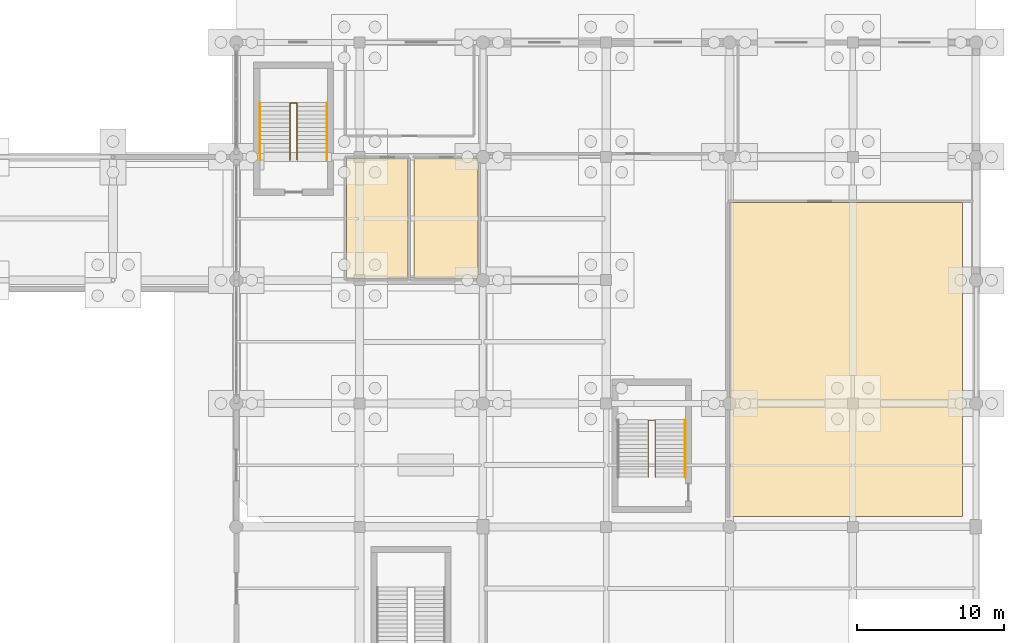
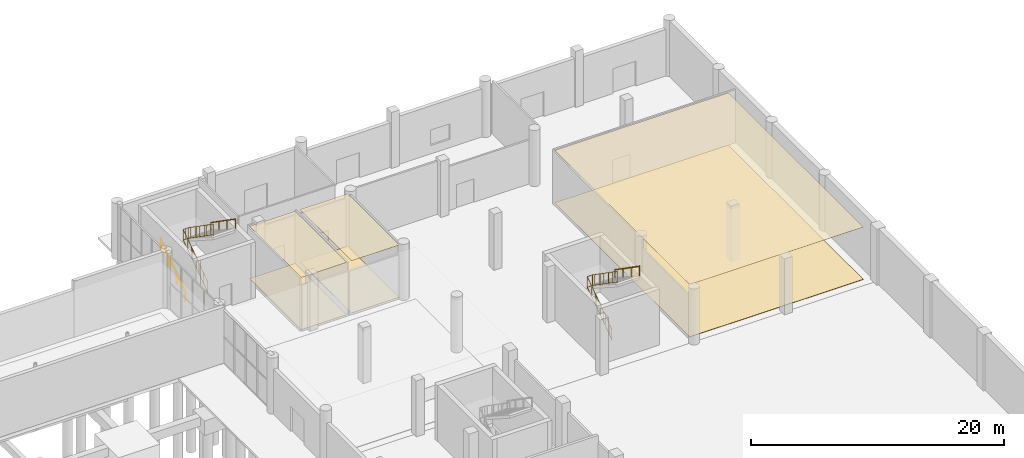
# One storey, part 81 of 82: 6 coverings, 5 railings.
"""IFC4 building model written with IfcOpenShell, lengths in metres."""

from ifc_helpers import new_model, si_unit, derived_unit, direction, frame, origin, origin_2d, place, context, subcontext, project, spatial, polyline, circle, outline, extrude, material, layer, layer_set, type_object, element, save


model = new_model("IFC4")

# Units and contexts
model_context = context("Model", 3, precision=1e-05, world=origin(), true_north=direction((0.0, 1.0)))
body_context = subcontext(model_context, "Body", "Model", "MODEL_VIEW")
ifc_project = project(units=[si_unit("LENGTHUNIT", "METRE"), si_unit("AREAUNIT", "SQUARE_METRE"), si_unit("VOLUMEUNIT", "CUBIC_METRE"), si_unit("PLANEANGLEUNIT", "RADIAN"), si_unit("MASSUNIT", "GRAM", prefix="KILO"), derived_unit("THERMALTRANSMITTANCEUNIT", [(si_unit("POWERUNIT", "WATT"), 1), (si_unit("LENGTHUNIT", "METRE"), -2), (si_unit("THERMODYNAMICTEMPERATUREUNIT", "KELVIN"), -1)])], contexts=[model_context])

# Site, building, storey
site_placement = place(None, origin())
site = spatial("IfcSite", under=ifc_project, at=site_placement, CompositionType="ELEMENT")
building_placement = place(site_placement, origin())
building = spatial("IfcBuilding", under=site, at=building_placement, Name="Barrovel Congress Hotel", CompositionType="ELEMENT")
storey_placement = place(building_placement, origin())
storey = spatial("IfcBuildingStorey", under=building, at=storey_placement, Name="L00", CompositionType="ELEMENT", Elevation=0.0)

# Coverings
ifc_material_1 = material(Name="Perforated Timber Acoustic Ceiling", Category="wood")
ifc_layer_1 = layer(ifc_material_1, 0.030029296875)
ifc_layer_set_1 = layer_set([ifc_layer_1], Name="Perforated Timber Acoustic Ceiling")
covering_type_1 = type_object("IfcCoveringType", Name="COV-CEIL-ACU", PredefinedType="CEILING", material=ifc_layer_set_1)
covering_1_placement = place(storey_placement, frame((0.0, 0.0, 5.044921875)))
element("IfcCovering", 1, at=covering_1_placement, inside=storey, type_object=covering_type_1, Name="CEIL:04", PredefinedType="CEILING", context=body_context, shape_type="SweptSolid", body=[
    extrude(outline(polyline([(159.6201171875, 80.52001953125), (175.47998046875, 80.52001953125), (175.47998046875, 101.8798828125), (159.6201171875, 101.8798828125), (159.6201171875, 80.52001953125)])), origin(), (0.0, 0.0, 1.0), 0.030029296875),
])
covering_2_placement = place(storey_placement, frame((0.0, 0.0, 5.044921875)))
element("IfcCovering", 2, at=covering_2_placement, inside=storey, type_object=covering_type_1, Name="CEIL:06", PredefinedType="CEILING", context=body_context, shape_type="SweptSolid", body=[
    extrude(outline(polyline([(133.52001953125, 96.719970703125), (137.679931640625, 96.719970703125), (137.679931640625, 104.8798828125), (133.52001953125, 104.8798828125), (133.52001953125, 96.719970703125)])), origin(), (0.0, 0.0, 1.0), 0.030029296875),
])
covering_3_placement = place(storey_placement, frame((0.0, 0.0, 5.044921875)))
element("IfcCovering", 3, at=covering_3_placement, inside=storey, type_object=covering_type_1, Name="CEIL:07", PredefinedType="CEILING", context=body_context, shape_type="SweptSolid", body=[
    extrude(outline(polyline([(138.1201171875, 96.719970703125), (142.47998046875, 96.719970703125), (142.47998046875, 104.8798828125), (138.1201171875, 104.8798828125), (138.1201171875, 96.719970703125)])), origin(), (0.0, 0.0, 1.0), 0.030029296875),
])
ifc_material_2 = material(Name="Polished Monterrey Limestone Terrazzo", Category="masonry")
ifc_layer_2 = layer(ifc_material_2, 0.030029296875)
ifc_layer_set_2 = layer_set([ifc_layer_2], Name="Polished Monterrey Limestone Terrazzo")
covering_type_2 = type_object("IfcCoveringType", Name="COV-FLOR-TRZ", PredefinedType="FLOORING", material=ifc_layer_set_2)
covering_4_placement = place(storey_placement, origin())
element("IfcCovering", 4, at=covering_4_placement, inside=storey, type_object=covering_type_2, Name="FLOR:04", PredefinedType="FLOORING", context=body_context, shape_type="SweptSolid", body=[
    extrude(outline(polyline([(159.6201171875, 80.52001953125), (175.47998046875, 80.52001953125), (175.47998046875, 101.8798828125), (159.6201171875, 101.8798828125), (159.6201171875, 80.52001953125)])), origin(), (0.0, 0.0, 1.0), 0.030029296875),
])
covering_5_placement = place(storey_placement, origin())
element("IfcCovering", 5, at=covering_5_placement, inside=storey, type_object=covering_type_2, Name="FLOR:06", PredefinedType="FLOORING", context=body_context, shape_type="SweptSolid", body=[
    extrude(outline(polyline([(133.52001953125, 96.719970703125), (137.679931640625, 96.719970703125), (137.679931640625, 104.8798828125), (133.52001953125, 104.8798828125), (133.52001953125, 96.719970703125)])), origin(), (0.0, 0.0, 1.0), 0.030029296875),
])
covering_6_placement = place(storey_placement, origin())
element("IfcCovering", 6, at=covering_6_placement, inside=storey, type_object=covering_type_2, Name="FLOR:07", PredefinedType="FLOORING", context=body_context, shape_type="SweptSolid", body=[
    extrude(outline(polyline([(138.1201171875, 96.719970703125), (142.47998046875, 96.719970703125), (142.47998046875, 104.8798828125), (138.1201171875, 104.8798828125), (138.1201171875, 96.719970703125)])), origin(), (0.0, 0.0, 1.0), 0.030029296875),
])

# Railings
ifc_material_3 = material(Name="Painted Architectural Steel", Category="steel")
ifc_layer_3 = layer(ifc_material_3, 0.070068359375)
ifc_layer_set_3 = layer_set([ifc_layer_3], Name="Painted Architectural Steel")
railing_type_1 = type_object("IfcRailingType", Name="RAIL-GUARD-INT", PredefinedType="BALUSTRADE", material=ifc_layer_set_3)
railing_1_placement = place(storey_placement, frame((154.06005859375, 83.179931640625, 0.0)))
element("IfcRailing", 7, at=railing_1_placement, inside=storey, type_object=railing_type_1, Name="STAIR:XS-06:L00:GR-W", PredefinedType="BALUSTRADE", context=body_context, shape_type="SweptSolid", body=[
    extrude(circle(Radius=0.02392578125, at=origin_2d()), frame((0.0, 0.0, 1.11572265625), z_axis=(0.0, 0.82152157716, 0.570177427), x_axis=(-1.0, 0.0, 0.0)), (0.0, 0.0, 1.0), 4.7353515625),
    extrude(circle(Radius=0.02392578125, at=origin_2d()), frame((0.0, 0.0, 0.10009765625), z_axis=(0.0, 0.82152157716, 0.570177427), x_axis=(-1.0, 0.0, 0.0)), (0.0, 0.0, 1.0), 4.7353515625),
    extrude(circle(Radius=0.010009765625, at=origin_2d()), frame((0.0, 0.353759765625, 0.345458984375)), (0.0, 0.0, 1.0), 0.99169921875),
    extrude(circle(Radius=0.010009765625, at=origin_2d()), frame((0.0, 0.707275390625, 0.5908203125)), (0.0, 0.0, 1.0), 0.99169921875),
    extrude(circle(Radius=0.010009765625, at=origin_2d()), frame((0.0, 1.06103515625, 0.83642578125)), (0.0, 0.0, 1.0), 0.99169921875),
    extrude(circle(Radius=0.010009765625, at=origin_2d()), frame((0.0, 1.41455078125, 1.081787109375)), (0.0, 0.0, 1.0), 0.99169921875),
    extrude(circle(Radius=0.010009765625, at=origin_2d()), frame((0.0, 1.768310546875, 1.3271484375)), (0.0, 0.0, 1.0), 0.99169921875),
    extrude(circle(Radius=0.010009765625, at=origin_2d()), frame((0.0, 2.121826171875, 1.57275390625)), (0.0, 0.0, 1.0), 0.99169921875),
    extrude(circle(Radius=0.010009765625, at=origin_2d()), frame((0.0, 2.4755859375, 1.818115234375)), (0.0, 0.0, 1.0), 0.99169921875),
    extrude(circle(Radius=0.010009765625, at=origin_2d()), frame((0.0, 2.8291015625, 2.063720703125)), (0.0, 0.0, 1.0), 0.99169921875),
    extrude(circle(Radius=0.010009765625, at=origin_2d()), frame((0.0, 3.182861328125, 2.30908203125)), (0.0, 0.0, 1.0), 0.99169921875),
    extrude(circle(Radius=0.010009765625, at=origin_2d()), frame((0.0, 3.536376953125, 2.554443359375)), (0.0, 0.0, 1.0), 0.99169921875),
    extrude(circle(Radius=0.02392578125, at=origin_2d()), frame((0.0, 3.89013671875, 3.81591796875), z_axis=(1.0, 0.0, 0.0), x_axis=(0.0, 1.0, 0.0)), (0.0, 0.0, 1.0), 0.47998046875),
    extrude(circle(Radius=0.02392578125, at=origin_2d()), frame((0.0, 3.89013671875, 2.800048828125), z_axis=(1.0, 0.0, 0.0), x_axis=(0.0, 1.0, 0.0)), (0.0, 0.0, 1.0), 0.47998046875),
    extrude(circle(Radius=0.010009765625, at=origin_2d()), frame((0.239990234375, 3.89013671875, 2.800048828125)), (0.0, 0.0, 1.0), 0.99169921875),
    extrude(circle(Radius=0.02392578125, at=origin_2d()), frame((0.47998046875, 3.89013671875, 3.81591796875), z_axis=(0.0, -0.82152157716, 0.570177427), x_axis=(1.0, 0.0, 0.0)), (0.0, 0.0, 1.0), 4.7353515625),
    extrude(circle(Radius=0.02392578125, at=origin_2d()), frame((0.47998046875, 3.89013671875, 2.800048828125), z_axis=(0.0, -0.82152157716, 0.570177427), x_axis=(1.0, 0.0, 0.0)), (0.0, 0.0, 1.0), 4.7353515625),
    extrude(circle(Radius=0.010009765625, at=origin_2d()), frame((0.47998046875, 3.536376953125, 3.04541015625)), (0.0, 0.0, 1.0), 0.99169921875),
    extrude(circle(Radius=0.010009765625, at=origin_2d()), frame((0.47998046875, 3.182861328125, 3.290771484375)), (0.0, 0.0, 1.0), 0.99169921875),
    extrude(circle(Radius=0.010009765625, at=origin_2d()), frame((0.47998046875, 2.8291015625, 3.536376953125)), (0.0, 0.0, 1.0), 0.99169921875),
    extrude(circle(Radius=0.010009765625, at=origin_2d()), frame((0.47998046875, 2.4755859375, 3.78173828125)), (0.0, 0.0, 1.0), 0.99169921875),
    extrude(circle(Radius=0.010009765625, at=origin_2d()), frame((0.47998046875, 2.121826171875, 4.027099609375)), (0.0, 0.0, 1.0), 0.99169921875),
    extrude(circle(Radius=0.010009765625, at=origin_2d()), frame((0.47998046875, 1.768310546875, 4.272705078125)), (0.0, 0.0, 1.0), 0.99169921875),
    extrude(circle(Radius=0.010009765625, at=origin_2d()), frame((0.47998046875, 1.41455078125, 4.51806640625)), (0.0, 0.0, 1.0), 0.99169921875),
    extrude(circle(Radius=0.010009765625, at=origin_2d()), frame((0.47998046875, 1.06103515625, 4.763671875)), (0.0, 0.0, 1.0), 0.99169921875),
    extrude(circle(Radius=0.010009765625, at=origin_2d()), frame((0.47998046875, 0.707275390625, 5.009033203125)), (0.0, 0.0, 1.0), 0.99169921875),
    extrude(circle(Radius=0.010009765625, at=origin_2d()), frame((0.47998046875, 0.353759765625, 5.25439453125)), (0.0, 0.0, 1.0), 0.99169921875),
    extrude(circle(Radius=0.02099609375, at=origin_2d()), origin(), (0.0, 0.0, 1.0), 1.091796875),
    extrude(circle(Radius=0.02099609375, at=origin_2d()), frame((0.0, 1.296630859375, 0.89990234375)), (0.0, 0.0, 1.0), 1.091796875),
    extrude(circle(Radius=0.02099609375, at=origin_2d()), frame((0.0, 2.593505859375, 1.800048828125)), (0.0, 0.0, 1.0), 1.091796875),
    extrude(circle(Radius=0.02099609375, at=origin_2d()), frame((0.0, 3.89013671875, 2.699951171875)), (0.0, 0.0, 1.0), 1.091796875),
    extrude(circle(Radius=0.02099609375, at=origin_2d()), frame((0.47998046875, 3.89013671875, 2.699951171875)), (0.0, 0.0, 1.0), 1.091796875),
    extrude(circle(Radius=0.02099609375, at=origin_2d()), frame((0.47998046875, 2.593505859375, 3.599853515625)), (0.0, 0.0, 1.0), 1.091796875),
    extrude(circle(Radius=0.02099609375, at=origin_2d()), frame((0.47998046875, 1.296630859375, 4.5)), (0.0, 0.0, 1.0), 1.091796875),
    extrude(circle(Radius=0.02099609375, at=origin_2d()), frame((0.47998046875, 0.0, 5.39990234375)), (0.0, 0.0, 1.0), 1.091796875),
])
railing_2_placement = place(storey_placement, frame((129.659912109375, 104.780029296875, 0.0)))
element("IfcRailing", 8, at=railing_2_placement, inside=storey, type_object=railing_type_1, Name="STAIR:XS-10:L00:GR-W", PredefinedType="BALUSTRADE", context=body_context, shape_type="SweptSolid", body=[
    extrude(circle(Radius=0.02392578125, at=origin_2d()), frame((0.0, 0.0, 1.11572265625), z_axis=(0.0, 0.821504814544, 0.570201578111), x_axis=(-1.0, 0.0, 0.0)), (0.0, 0.0, 1.0), 4.735107421875),
    extrude(circle(Radius=0.02392578125, at=origin_2d()), frame((0.0, 0.0, 0.10009765625), z_axis=(0.0, 0.821504814544, 0.570201578111), x_axis=(-1.0, 0.0, 0.0)), (0.0, 0.0, 1.0), 4.735107421875),
    extrude(circle(Radius=0.010009765625, at=origin_2d()), frame((0.0, 0.353515625, 0.345458984375)), (0.0, 0.0, 1.0), 0.99169921875),
    extrude(circle(Radius=0.010009765625, at=origin_2d()), frame((0.0, 0.707275390625, 0.5908203125)), (0.0, 0.0, 1.0), 0.99169921875),
    extrude(circle(Radius=0.010009765625, at=origin_2d()), frame((0.0, 1.060791015625, 0.83642578125)), (0.0, 0.0, 1.0), 0.99169921875),
    extrude(circle(Radius=0.010009765625, at=origin_2d()), frame((0.0, 1.41455078125, 1.081787109375)), (0.0, 0.0, 1.0), 0.99169921875),
    extrude(circle(Radius=0.010009765625, at=origin_2d()), frame((0.0, 1.76806640625, 1.3271484375)), (0.0, 0.0, 1.0), 0.99169921875),
    extrude(circle(Radius=0.010009765625, at=origin_2d()), frame((0.0, 2.121826171875, 1.57275390625)), (0.0, 0.0, 1.0), 0.99169921875),
    extrude(circle(Radius=0.010009765625, at=origin_2d()), frame((0.0, 2.475341796875, 1.818115234375)), (0.0, 0.0, 1.0), 0.99169921875),
    extrude(circle(Radius=0.010009765625, at=origin_2d()), frame((0.0, 2.8291015625, 2.063720703125)), (0.0, 0.0, 1.0), 0.99169921875),
    extrude(circle(Radius=0.010009765625, at=origin_2d()), frame((0.0, 3.1826171875, 2.30908203125)), (0.0, 0.0, 1.0), 0.99169921875),
    extrude(circle(Radius=0.010009765625, at=origin_2d()), frame((0.0, 3.536376953125, 2.554443359375)), (0.0, 0.0, 1.0), 0.99169921875),
    extrude(circle(Radius=0.02392578125, at=origin_2d()), frame((0.0, 3.889892578125, 3.81591796875), z_axis=(1.0, 0.0, 0.0), x_axis=(0.0, 1.0, 0.0)), (0.0, 0.0, 1.0), 0.47998046875),
    extrude(circle(Radius=0.02392578125, at=origin_2d()), frame((0.0, 3.889892578125, 2.800048828125), z_axis=(1.0, 0.0, 0.0), x_axis=(0.0, 1.0, 0.0)), (0.0, 0.0, 1.0), 0.47998046875),
    extrude(circle(Radius=0.010009765625, at=origin_2d()), frame((0.239990234375, 3.889892578125, 2.800048828125)), (0.0, 0.0, 1.0), 0.99169921875),
    extrude(circle(Radius=0.02392578125, at=origin_2d()), frame((0.47998046875, 3.889892578125, 3.81591796875), z_axis=(0.0, -0.821504814544, 0.570201578111), x_axis=(1.0, 0.0, 0.0)), (0.0, 0.0, 1.0), 4.735107421875),
    extrude(circle(Radius=0.02392578125, at=origin_2d()), frame((0.47998046875, 3.889892578125, 2.800048828125), z_axis=(0.0, -0.821504814544, 0.570201578111), x_axis=(1.0, 0.0, 0.0)), (0.0, 0.0, 1.0), 4.735107421875),
    extrude(circle(Radius=0.010009765625, at=origin_2d()), frame((0.47998046875, 3.536376953125, 3.04541015625)), (0.0, 0.0, 1.0), 0.99169921875),
    extrude(circle(Radius=0.010009765625, at=origin_2d()), frame((0.47998046875, 3.1826171875, 3.290771484375)), (0.0, 0.0, 1.0), 0.99169921875),
    extrude(circle(Radius=0.010009765625, at=origin_2d()), frame((0.47998046875, 2.8291015625, 3.536376953125)), (0.0, 0.0, 1.0), 0.99169921875),
    extrude(circle(Radius=0.010009765625, at=origin_2d()), frame((0.47998046875, 2.475341796875, 3.78173828125)), (0.0, 0.0, 1.0), 0.99169921875),
    extrude(circle(Radius=0.010009765625, at=origin_2d()), frame((0.47998046875, 2.121826171875, 4.027099609375)), (0.0, 0.0, 1.0), 0.99169921875),
    extrude(circle(Radius=0.010009765625, at=origin_2d()), frame((0.47998046875, 1.76806640625, 4.272705078125)), (0.0, 0.0, 1.0), 0.99169921875),
    extrude(circle(Radius=0.010009765625, at=origin_2d()), frame((0.47998046875, 1.41455078125, 4.51806640625)), (0.0, 0.0, 1.0), 0.99169921875),
    extrude(circle(Radius=0.010009765625, at=origin_2d()), frame((0.47998046875, 1.060791015625, 4.763671875)), (0.0, 0.0, 1.0), 0.99169921875),
    extrude(circle(Radius=0.010009765625, at=origin_2d()), frame((0.47998046875, 0.707275390625, 5.009033203125)), (0.0, 0.0, 1.0), 0.99169921875),
    extrude(circle(Radius=0.010009765625, at=origin_2d()), frame((0.47998046875, 0.353515625, 5.25439453125)), (0.0, 0.0, 1.0), 0.99169921875),
    extrude(circle(Radius=0.02099609375, at=origin_2d()), origin(), (0.0, 0.0, 1.0), 1.091796875),
    extrude(circle(Radius=0.02099609375, at=origin_2d()), frame((0.0, 1.296630859375, 0.89990234375)), (0.0, 0.0, 1.0), 1.091796875),
    extrude(circle(Radius=0.02099609375, at=origin_2d()), frame((0.0, 2.59326171875, 1.800048828125)), (0.0, 0.0, 1.0), 1.091796875),
    extrude(circle(Radius=0.02099609375, at=origin_2d()), frame((0.0, 3.889892578125, 2.699951171875)), (0.0, 0.0, 1.0), 1.091796875),
    extrude(circle(Radius=0.02099609375, at=origin_2d()), frame((0.47998046875, 3.889892578125, 2.699951171875)), (0.0, 0.0, 1.0), 1.091796875),
    extrude(circle(Radius=0.02099609375, at=origin_2d()), frame((0.47998046875, 2.59326171875, 3.599853515625)), (0.0, 0.0, 1.0), 1.091796875),
    extrude(circle(Radius=0.02099609375, at=origin_2d()), frame((0.47998046875, 1.296630859375, 4.5)), (0.0, 0.0, 1.0), 1.091796875),
    extrude(circle(Radius=0.02099609375, at=origin_2d()), frame((0.47998046875, 0.0, 5.39990234375)), (0.0, 0.0, 1.0), 1.091796875),
])
ifc_material_4 = material(Name="Brushed Stainless Steel", Category="steel")
ifc_layer_4 = layer(ifc_material_4, 0.050048828125)
ifc_layer_set_4 = layer_set([ifc_layer_4], Name="Brushed Stainless Steel")
railing_type_2 = type_object("IfcRailingType", Name="RAIL-HAND", PredefinedType="HANDRAIL", material=ifc_layer_set_4)
railing_3_placement = place(storey_placement, frame((156.580078125, 87.070068359375, 2.699951171875)))
element("IfcRailing", 9, at=railing_3_placement, inside=storey, type_object=railing_type_2, Name="STAIR:XS-06:L00:HR-2", PredefinedType="HANDRAIL", context=body_context, shape_type="SweptSolid", body=[
    extrude(circle(Radius=0.02392578125, at=origin_2d()), frame((0.0, 0.0, 0.89599609375), z_axis=(0.0, -0.82152157716, 0.570177427), x_axis=(1.0, 0.0, 0.0)), (0.0, 0.0, 1.0), 4.7353515625),
    extrude(circle(Radius=0.02099609375, at=origin_2d()), origin(), (0.0, 0.0, 1.0), 0.871826171875),
    extrude(circle(Radius=0.02099609375, at=origin_2d()), frame((0.0, -1.296630859375, 0.89990234375)), (0.0, 0.0, 1.0), 0.871826171875),
    extrude(circle(Radius=0.02099609375, at=origin_2d()), frame((0.0, -2.593505859375, 1.800048828125)), (0.0, 0.0, 1.0), 0.871826171875),
    extrude(circle(Radius=0.02099609375, at=origin_2d()), frame((0.0, -3.89013671875, 2.699951171875)), (0.0, 0.0, 1.0), 0.871826171875),
])
railing_4_placement = place(storey_placement, frame((127.6201171875, 104.780029296875, 0.0)))
element("IfcRailing", 10, at=railing_4_placement, inside=storey, type_object=railing_type_2, Name="STAIR:XS-10:L00:HR-1", PredefinedType="HANDRAIL", context=body_context, shape_type="SweptSolid", body=[
    extrude(circle(Radius=0.02392578125, at=origin_2d()), frame((0.0, 0.0, 0.89599609375), z_axis=(0.0, 0.821504814544, 0.570201578111), x_axis=(-1.0, 0.0, 0.0)), (0.0, 0.0, 1.0), 4.735107421875),
    extrude(circle(Radius=0.02099609375, at=origin_2d()), origin(), (0.0, 0.0, 1.0), 0.871826171875),
    extrude(circle(Radius=0.02099609375, at=origin_2d()), frame((0.0, 1.296630859375, 0.89990234375)), (0.0, 0.0, 1.0), 0.871826171875),
    extrude(circle(Radius=0.02099609375, at=origin_2d()), frame((0.0, 2.59326171875, 1.800048828125)), (0.0, 0.0, 1.0), 0.871826171875),
    extrude(circle(Radius=0.02099609375, at=origin_2d()), frame((0.0, 3.889892578125, 2.699951171875)), (0.0, 0.0, 1.0), 0.871826171875),
])
railing_5_placement = place(storey_placement, frame((132.179931640625, 108.669921875, 2.699951171875)))
element("IfcRailing", 11, at=railing_5_placement, inside=storey, type_object=railing_type_2, Name="STAIR:XS-10:L00:HR-2", PredefinedType="HANDRAIL", context=body_context, shape_type="SweptSolid", body=[
    extrude(circle(Radius=0.02392578125, at=origin_2d()), frame((0.0, 0.0, 0.89599609375), z_axis=(0.0, -0.821504814544, 0.570201578111), x_axis=(1.0, 0.0, 0.0)), (0.0, 0.0, 1.0), 4.735107421875),
    extrude(circle(Radius=0.02099609375, at=origin_2d()), origin(), (0.0, 0.0, 1.0), 0.871826171875),
    extrude(circle(Radius=0.02099609375, at=origin_2d()), frame((0.0, -1.296630859375, 0.89990234375)), (0.0, 0.0, 1.0), 0.871826171875),
    extrude(circle(Radius=0.02099609375, at=origin_2d()), frame((0.0, -2.59326171875, 1.800048828125)), (0.0, 0.0, 1.0), 0.871826171875),
    extrude(circle(Radius=0.02099609375, at=origin_2d()), frame((0.0, -3.889892578125, 2.699951171875)), (0.0, 0.0, 1.0), 0.871826171875),
])

save(model, "model.ifc")
